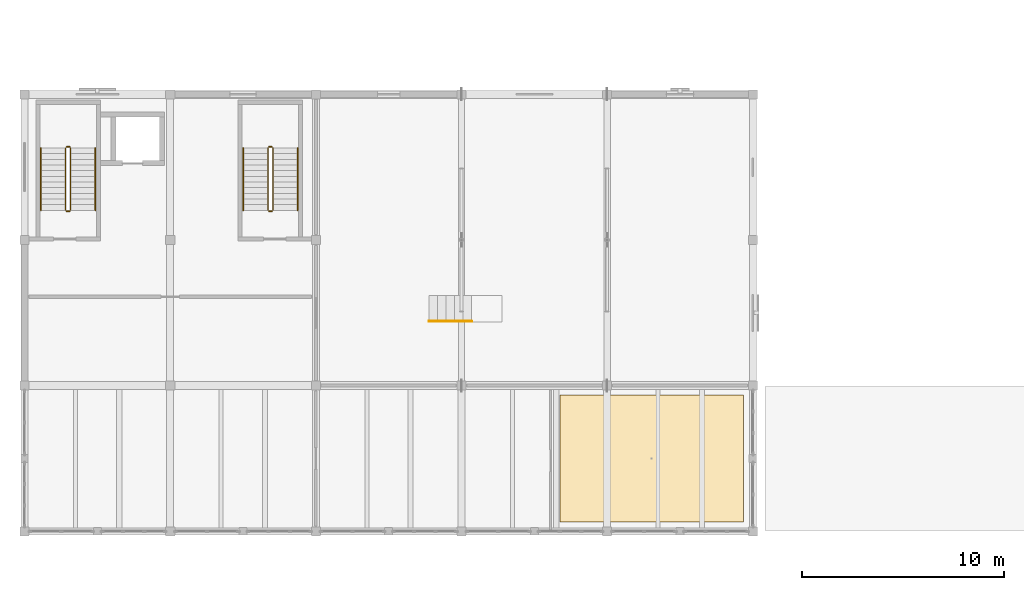
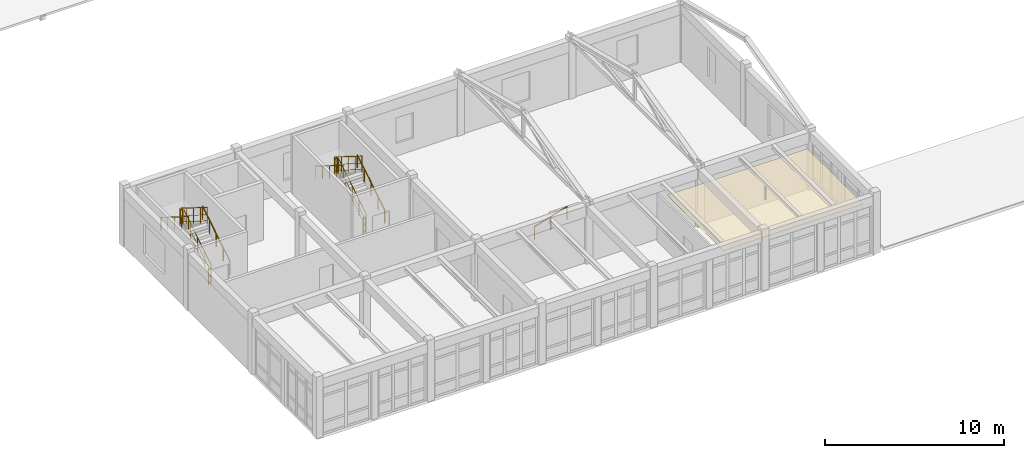
# One storey, part 129 of 136: 13 railings, 1 covering.
"""IFC4 building model written with IfcOpenShell, lengths in metres."""

from ifc_helpers import new_model, si_unit, direction, frame, origin, origin_2d, place, context, subcontext, project, spatial, polyline, circle, outline, extrude, material, layer, layer_set, type_object, element, save


model = new_model("IFC4")

# Units and contexts
model_context = context("Model", 3, precision=1e-05, world=origin(), true_north=direction((0.0, 1.0)))
body_context = subcontext(model_context, "Body", "Model", "MODEL_VIEW")
ifc_project = project(units=[si_unit("LENGTHUNIT", "METRE"), si_unit("AREAUNIT", "SQUARE_METRE"), si_unit("VOLUMEUNIT", "CUBIC_METRE"), si_unit("PLANEANGLEUNIT", "RADIAN"), si_unit("MASSUNIT", "GRAM", prefix="KILO")], contexts=[model_context])

# Site, building, storey
site_placement = place(None, origin())
site = spatial("IfcSite", under=ifc_project, at=site_placement, CompositionType="ELEMENT")
building_placement = place(site_placement, origin())
building = spatial("IfcBuilding", under=site, at=building_placement, Name="Koriwan Promenade Central Fire Station", CompositionType="ELEMENT")
storey_placement = place(building_placement, frame((0.0, 0.0, 5.39990234375)))
storey = spatial("IfcBuildingStorey", under=building, at=storey_placement, Name="L01", CompositionType="ELEMENT", Elevation=5.39990234375)

# Covering
ifc_material_1 = material(Name="Mineral-fibre acoustic ceiling tile on suspended grid", Category="ceiling")
ifc_layer_1 = layer(ifc_material_1, 0.02490234375, Name="Mineral-fibre acoustic ceiling tile on suspended grid")
ifc_layer_set_1 = layer_set([ifc_layer_1], Name="Mineral-fibre acoustic ceiling tile on suspended grid")
covering_type = type_object("IfcCoveringType", Name="AcousticCeiling_Tile", PredefinedType="CEILING", material=ifc_layer_set_1)
covering_placement = place(storey_placement, frame((0.0, 0.0, 3.080078125)))
element("IfcCovering", 1, at=covering_placement, inside=storey, type_object=covering_type, Name="Speaker Briefing and Seminar Room suspended acoustic ceiling", PredefinedType="CEILING", context=body_context, shape_type="SweptSolid", body=[
    extrude(outline(polyline([(26.469970703125, 6.72998046875), (35.530029296875, 6.72998046875), (35.530029296875, 0.469970703125), (26.469970703125, 0.469970703125), (26.469970703125, 6.72998046875)])), origin(), (0.0, 0.0, 1.0), 0.02490234375),
])

# Railings
ifc_material_2 = material(Name="Steel ASTM A500 Grade C", Category="steel")
ifc_layer_2 = layer(ifc_material_2, 0.050048828125, Name="Steel ASTM A500 Grade C")
ifc_layer_set_2 = layer_set([ifc_layer_2], Name="Steel ASTM A500 Grade C")
railing_type_1 = type_object("IfcRailingType", Name="StairGuard_1100", PredefinedType="BALUSTRADE", material=ifc_layer_set_2)
railing_1_placement = place(storey_placement, frame((2.280029296875, 15.8701171875, 0.175048828125)))
element("IfcRailing", 2, at=railing_1_placement, inside=storey, type_object=railing_type_1, Name="L01 ST14 stair guard 1", PredefinedType="BALUSTRADE", context=body_context, shape_type="SweptSolid", body=[
    extrude(circle(Radius=0.02392578125, at=origin_2d()), frame((0.0, 0.0, 1.076171875), z_axis=(0.0, 0.847979421464, 0.530029150871), x_axis=(-1.0, 0.0, 0.0)), (0.0, 0.0, 1.0), 3.632080078125),
    extrude(circle(Radius=0.012939453125, at=origin_2d()), frame((0.0, 0.0, 0.572021484375), z_axis=(0.0, 0.847979421464, 0.530029150871), x_axis=(-1.0, 0.0, 0.0)), (0.0, 0.0, 1.0), 3.632080078125),
    extrude(circle(Radius=0.012939453125, at=origin_2d()), frame((0.0, 0.0, 0.154052734375), z_axis=(0.0, 0.847979421464, 0.530029150871), x_axis=(-1.0, 0.0, 0.0)), (0.0, 0.0, 1.0), 3.632080078125),
    extrude(circle(Radius=0.02099609375, at=origin_2d()), origin(), (0.0, 0.0, 1.0), 1.052001953125),
    extrude(circle(Radius=0.02099609375, at=origin_2d()), frame((0.0, 0.77001953125, 0.481201171875)), (0.0, 0.0, 1.0), 1.052001953125),
    extrude(circle(Radius=0.02099609375, at=origin_2d()), frame((0.0, 1.5400390625, 0.96240234375)), (0.0, 0.0, 1.0), 1.052001953125),
    extrude(circle(Radius=0.02099609375, at=origin_2d()), frame((0.0, 2.309814453125, 1.44384765625)), (0.0, 0.0, 1.0), 1.052001953125),
    extrude(circle(Radius=0.02099609375, at=origin_2d()), frame((0.0, 3.079833984375, 1.925048828125)), (0.0, 0.0, 1.0), 1.052001953125),
])
railing_2_placement = place(storey_placement, frame((2.22998046875, 19.0, 2.10009765625)))
element("IfcRailing", 3, at=railing_2_placement, inside=storey, type_object=railing_type_1, Name="L01 ST14 stair guard 2", PredefinedType="BALUSTRADE", context=body_context, shape_type="SweptSolid", body=[
    extrude(circle(Radius=0.02392578125, at=origin_2d()), frame((0.0, 0.0, 1.076171875), z_axis=(-1.0, 0.0, 0.0), x_axis=(0.0, -1.0, 0.0)), (0.0, 0.0, 1.0), 0.14990234375),
    extrude(circle(Radius=0.012939453125, at=origin_2d()), frame((0.0, 0.0, 0.572021484375), z_axis=(-1.0, 0.0, 0.0), x_axis=(0.0, -1.0, 0.0)), (0.0, 0.0, 1.0), 0.14990234375),
    extrude(circle(Radius=0.012939453125, at=origin_2d()), frame((0.0, 0.0, 0.154052734375), z_axis=(-1.0, 0.0, 0.0), x_axis=(0.0, -1.0, 0.0)), (0.0, 0.0, 1.0), 0.14990234375),
    extrude(circle(Radius=0.02099609375, at=origin_2d()), origin(), (0.0, 0.0, 1.0), 1.052001953125),
    extrude(circle(Radius=0.02099609375, at=origin_2d()), frame((-0.14990234375, 0.0, 0.0)), (0.0, 0.0, 1.0), 1.052001953125),
])
railing_3_placement = place(storey_placement, frame((2.030029296875, 18.949951171875, 2.275146484375)))
element("IfcRailing", 4, at=railing_3_placement, inside=storey, type_object=railing_type_1, Name="L01 ST14 stair guard 3", PredefinedType="BALUSTRADE", context=body_context, shape_type="SweptSolid", body=[
    extrude(circle(Radius=0.02392578125, at=origin_2d()), frame((0.0, 0.0, 1.076171875), z_axis=(0.0, -0.847979421464, 0.530029150871), x_axis=(1.0, 0.0, 0.0)), (0.0, 0.0, 1.0), 3.632080078125),
    extrude(circle(Radius=0.012939453125, at=origin_2d()), frame((0.0, 0.0, 0.572021484375), z_axis=(0.0, -0.847979421464, 0.530029150871), x_axis=(1.0, 0.0, 0.0)), (0.0, 0.0, 1.0), 3.632080078125),
    extrude(circle(Radius=0.012939453125, at=origin_2d()), frame((0.0, 0.0, 0.154052734375), z_axis=(0.0, -0.847979421464, 0.530029150871), x_axis=(1.0, 0.0, 0.0)), (0.0, 0.0, 1.0), 3.632080078125),
    extrude(circle(Radius=0.02099609375, at=origin_2d()), origin(), (0.0, 0.0, 1.0), 1.052001953125),
    extrude(circle(Radius=0.02099609375, at=origin_2d()), frame((0.0, -0.77001953125, 0.481201171875)), (0.0, 0.0, 1.0), 1.052001953125),
    extrude(circle(Radius=0.02099609375, at=origin_2d()), frame((0.0, -1.5400390625, 0.96240234375)), (0.0, 0.0, 1.0), 1.052001953125),
    extrude(circle(Radius=0.02099609375, at=origin_2d()), frame((0.0, -2.309814453125, 1.44384765625)), (0.0, 0.0, 1.0), 1.052001953125),
    extrude(circle(Radius=0.02099609375, at=origin_2d()), frame((0.0, -3.079833984375, 1.925048828125)), (0.0, 0.0, 1.0), 1.052001953125),
])
railing_4_placement = place(storey_placement, frame((2.22998046875, 15.820068359375, 0.0)))
element("IfcRailing", 5, at=railing_4_placement, inside=storey, type_object=railing_type_1, Name="L01 ST14 stair guard 4", PredefinedType="BALUSTRADE", context=body_context, shape_type="SweptSolid", body=[
    extrude(circle(Radius=0.02392578125, at=origin_2d()), frame((0.0, 0.0, 1.076171875), z_axis=(-1.0, 0.0, 0.0), x_axis=(0.0, -1.0, 0.0)), (0.0, 0.0, 1.0), 0.14990234375),
    extrude(circle(Radius=0.012939453125, at=origin_2d()), frame((0.0, 0.0, 0.572021484375), z_axis=(-1.0, 0.0, 0.0), x_axis=(0.0, -1.0, 0.0)), (0.0, 0.0, 1.0), 0.14990234375),
    extrude(circle(Radius=0.012939453125, at=origin_2d()), frame((0.0, 0.0, 0.154052734375), z_axis=(-1.0, 0.0, 0.0), x_axis=(0.0, -1.0, 0.0)), (0.0, 0.0, 1.0), 0.14990234375),
    extrude(circle(Radius=0.02099609375, at=origin_2d()), origin(), (0.0, 0.0, 1.0), 1.052001953125),
    extrude(circle(Radius=0.02099609375, at=origin_2d()), frame((-0.14990234375, 0.0, 0.0)), (0.0, 0.0, 1.0), 1.052001953125),
])
railing_5_placement = place(storey_placement, frame((12.280029296875, 15.8701171875, 0.175048828125)))
element("IfcRailing", 6, at=railing_5_placement, inside=storey, type_object=railing_type_1, Name="L01 ST16 stair guard 1", PredefinedType="BALUSTRADE", context=body_context, shape_type="SweptSolid", body=[
    extrude(circle(Radius=0.02392578125, at=origin_2d()), frame((0.0, 0.0, 1.076171875), z_axis=(0.0, 0.847979421464, 0.530029150871), x_axis=(-1.0, 0.0, 0.0)), (0.0, 0.0, 1.0), 3.632080078125),
    extrude(circle(Radius=0.012939453125, at=origin_2d()), frame((0.0, 0.0, 0.572021484375), z_axis=(0.0, 0.847979421464, 0.530029150871), x_axis=(-1.0, 0.0, 0.0)), (0.0, 0.0, 1.0), 3.632080078125),
    extrude(circle(Radius=0.012939453125, at=origin_2d()), frame((0.0, 0.0, 0.154052734375), z_axis=(0.0, 0.847979421464, 0.530029150871), x_axis=(-1.0, 0.0, 0.0)), (0.0, 0.0, 1.0), 3.632080078125),
    extrude(circle(Radius=0.02099609375, at=origin_2d()), origin(), (0.0, 0.0, 1.0), 1.052001953125),
    extrude(circle(Radius=0.02099609375, at=origin_2d()), frame((0.0, 0.77001953125, 0.481201171875)), (0.0, 0.0, 1.0), 1.052001953125),
    extrude(circle(Radius=0.02099609375, at=origin_2d()), frame((0.0, 1.5400390625, 0.96240234375)), (0.0, 0.0, 1.0), 1.052001953125),
    extrude(circle(Radius=0.02099609375, at=origin_2d()), frame((0.0, 2.309814453125, 1.44384765625)), (0.0, 0.0, 1.0), 1.052001953125),
    extrude(circle(Radius=0.02099609375, at=origin_2d()), frame((0.0, 3.079833984375, 1.925048828125)), (0.0, 0.0, 1.0), 1.052001953125),
])
railing_6_placement = place(storey_placement, frame((12.22998046875, 19.0, 2.10009765625)))
element("IfcRailing", 7, at=railing_6_placement, inside=storey, type_object=railing_type_1, Name="L01 ST16 stair guard 2", PredefinedType="BALUSTRADE", context=body_context, shape_type="SweptSolid", body=[
    extrude(circle(Radius=0.02392578125, at=origin_2d()), frame((0.0, 0.0, 1.076171875), z_axis=(-1.0, 0.0, 0.0), x_axis=(0.0, -1.0, 0.0)), (0.0, 0.0, 1.0), 0.14990234375),
    extrude(circle(Radius=0.012939453125, at=origin_2d()), frame((0.0, 0.0, 0.572021484375), z_axis=(-1.0, 0.0, 0.0), x_axis=(0.0, -1.0, 0.0)), (0.0, 0.0, 1.0), 0.14990234375),
    extrude(circle(Radius=0.012939453125, at=origin_2d()), frame((0.0, 0.0, 0.154052734375), z_axis=(-1.0, 0.0, 0.0), x_axis=(0.0, -1.0, 0.0)), (0.0, 0.0, 1.0), 0.14990234375),
    extrude(circle(Radius=0.02099609375, at=origin_2d()), origin(), (0.0, 0.0, 1.0), 1.052001953125),
    extrude(circle(Radius=0.02099609375, at=origin_2d()), frame((-0.14990234375, 0.0, 0.0)), (0.0, 0.0, 1.0), 1.052001953125),
])
railing_7_placement = place(storey_placement, frame((12.030029296875, 18.949951171875, 2.275146484375)))
element("IfcRailing", 8, at=railing_7_placement, inside=storey, type_object=railing_type_1, Name="L01 ST16 stair guard 3", PredefinedType="BALUSTRADE", context=body_context, shape_type="SweptSolid", body=[
    extrude(circle(Radius=0.02392578125, at=origin_2d()), frame((0.0, 0.0, 1.076171875), z_axis=(0.0, -0.847979421464, 0.530029150871), x_axis=(1.0, 0.0, 0.0)), (0.0, 0.0, 1.0), 3.632080078125),
    extrude(circle(Radius=0.012939453125, at=origin_2d()), frame((0.0, 0.0, 0.572021484375), z_axis=(0.0, -0.847979421464, 0.530029150871), x_axis=(1.0, 0.0, 0.0)), (0.0, 0.0, 1.0), 3.632080078125),
    extrude(circle(Radius=0.012939453125, at=origin_2d()), frame((0.0, 0.0, 0.154052734375), z_axis=(0.0, -0.847979421464, 0.530029150871), x_axis=(1.0, 0.0, 0.0)), (0.0, 0.0, 1.0), 3.632080078125),
    extrude(circle(Radius=0.02099609375, at=origin_2d()), origin(), (0.0, 0.0, 1.0), 1.052001953125),
    extrude(circle(Radius=0.02099609375, at=origin_2d()), frame((0.0, -0.77001953125, 0.481201171875)), (0.0, 0.0, 1.0), 1.052001953125),
    extrude(circle(Radius=0.02099609375, at=origin_2d()), frame((0.0, -1.5400390625, 0.96240234375)), (0.0, 0.0, 1.0), 1.052001953125),
    extrude(circle(Radius=0.02099609375, at=origin_2d()), frame((0.0, -2.309814453125, 1.44384765625)), (0.0, 0.0, 1.0), 1.052001953125),
    extrude(circle(Radius=0.02099609375, at=origin_2d()), frame((0.0, -3.079833984375, 1.925048828125)), (0.0, 0.0, 1.0), 1.052001953125),
])
railing_8_placement = place(storey_placement, frame((12.22998046875, 15.820068359375, 0.0)))
element("IfcRailing", 9, at=railing_8_placement, inside=storey, type_object=railing_type_1, Name="L01 ST16 stair guard 4", PredefinedType="BALUSTRADE", context=body_context, shape_type="SweptSolid", body=[
    extrude(circle(Radius=0.02392578125, at=origin_2d()), frame((0.0, 0.0, 1.076171875), z_axis=(-1.0, 0.0, 0.0), x_axis=(0.0, -1.0, 0.0)), (0.0, 0.0, 1.0), 0.14990234375),
    extrude(circle(Radius=0.012939453125, at=origin_2d()), frame((0.0, 0.0, 0.572021484375), z_axis=(-1.0, 0.0, 0.0), x_axis=(0.0, -1.0, 0.0)), (0.0, 0.0, 1.0), 0.14990234375),
    extrude(circle(Radius=0.012939453125, at=origin_2d()), frame((0.0, 0.0, 0.154052734375), z_axis=(-1.0, 0.0, 0.0), x_axis=(0.0, -1.0, 0.0)), (0.0, 0.0, 1.0), 0.14990234375),
    extrude(circle(Radius=0.02099609375, at=origin_2d()), origin(), (0.0, 0.0, 1.0), 1.052001953125),
    extrude(circle(Radius=0.02099609375, at=origin_2d()), frame((-0.14990234375, 0.0, 0.0)), (0.0, 0.0, 1.0), 1.052001953125),
])
ifc_material_3 = material(Name="Stainless steel 316 tubular handrail", Category="steel")
ifc_layer_3 = layer(ifc_material_3, 0.048095703125, Name="Stainless steel 316 tubular handrail")
ifc_layer_set_3 = layer_set([ifc_layer_3], Name="Stainless steel 316 tubular handrail")
railing_type_2 = type_object("IfcRailingType", Name="StairHandrail_900", PredefinedType="HANDRAIL", material=ifc_layer_set_3)
railing_9_placement = place(storey_placement, frame((3.5, 15.8701171875, 0.175048828125)))
element("IfcRailing", 10, at=railing_9_placement, inside=storey, type_object=railing_type_2, Name="L01 ST14 stair handrail 1", PredefinedType="HANDRAIL", context=body_context, shape_type="SweptSolid", body=[
    extrude(circle(Radius=0.02392578125, at=origin_2d()), frame((0.0, 0.0, 0.8759765625), z_axis=(0.0, 0.847979421464, 0.530029150871), x_axis=(-1.0, 0.0, 0.0)), (0.0, 0.0, 1.0), 3.632080078125),
    extrude(circle(Radius=0.02099609375, at=origin_2d()), origin(), (0.0, 0.0, 1.0), 0.851806640625),
    extrude(circle(Radius=0.02099609375, at=origin_2d()), frame((0.0, 0.77001953125, 0.481201171875)), (0.0, 0.0, 1.0), 0.851806640625),
    extrude(circle(Radius=0.02099609375, at=origin_2d()), frame((0.0, 1.5400390625, 0.96240234375)), (0.0, 0.0, 1.0), 0.851806640625),
    extrude(circle(Radius=0.02099609375, at=origin_2d()), frame((0.0, 2.309814453125, 1.44384765625)), (0.0, 0.0, 1.0), 0.851806640625),
    extrude(circle(Radius=0.02099609375, at=origin_2d()), frame((0.0, 3.079833984375, 1.925048828125)), (0.0, 0.0, 1.0), 0.851806640625),
])
railing_10_placement = place(storey_placement, frame((0.81005859375, 18.949951171875, 2.275146484375)))
element("IfcRailing", 11, at=railing_10_placement, inside=storey, type_object=railing_type_2, Name="L01 ST14 stair handrail 2", PredefinedType="HANDRAIL", context=body_context, shape_type="SweptSolid", body=[
    extrude(circle(Radius=0.02392578125, at=origin_2d()), frame((0.0, 0.0, 0.8759765625), z_axis=(0.0, -0.847979421464, 0.530029150871), x_axis=(1.0, 0.0, 0.0)), (0.0, 0.0, 1.0), 3.632080078125),
    extrude(circle(Radius=0.02099609375, at=origin_2d()), origin(), (0.0, 0.0, 1.0), 0.851806640625),
    extrude(circle(Radius=0.02099609375, at=origin_2d()), frame((0.0, -0.77001953125, 0.481201171875)), (0.0, 0.0, 1.0), 0.851806640625),
    extrude(circle(Radius=0.02099609375, at=origin_2d()), frame((0.0, -1.5400390625, 0.96240234375)), (0.0, 0.0, 1.0), 0.851806640625),
    extrude(circle(Radius=0.02099609375, at=origin_2d()), frame((0.0, -2.309814453125, 1.44384765625)), (0.0, 0.0, 1.0), 0.851806640625),
    extrude(circle(Radius=0.02099609375, at=origin_2d()), frame((0.0, -3.079833984375, 1.925048828125)), (0.0, 0.0, 1.0), 0.851806640625),
])
railing_11_placement = place(storey_placement, frame((13.5, 15.8701171875, 0.175048828125)))
element("IfcRailing", 12, at=railing_11_placement, inside=storey, type_object=railing_type_2, Name="L01 ST16 stair handrail 1", PredefinedType="HANDRAIL", context=body_context, shape_type="SweptSolid", body=[
    extrude(circle(Radius=0.02392578125, at=origin_2d()), frame((0.0, 0.0, 0.8759765625), z_axis=(0.0, 0.847979421464, 0.530029150871), x_axis=(-1.0, 0.0, 0.0)), (0.0, 0.0, 1.0), 3.632080078125),
    extrude(circle(Radius=0.02099609375, at=origin_2d()), origin(), (0.0, 0.0, 1.0), 0.851806640625),
    extrude(circle(Radius=0.02099609375, at=origin_2d()), frame((0.0, 0.77001953125, 0.481201171875)), (0.0, 0.0, 1.0), 0.851806640625),
    extrude(circle(Radius=0.02099609375, at=origin_2d()), frame((0.0, 1.5400390625, 0.96240234375)), (0.0, 0.0, 1.0), 0.851806640625),
    extrude(circle(Radius=0.02099609375, at=origin_2d()), frame((0.0, 2.309814453125, 1.44384765625)), (0.0, 0.0, 1.0), 0.851806640625),
    extrude(circle(Radius=0.02099609375, at=origin_2d()), frame((0.0, 3.079833984375, 1.925048828125)), (0.0, 0.0, 1.0), 0.851806640625),
])
railing_12_placement = place(storey_placement, frame((10.81005859375, 18.949951171875, 2.275146484375)))
element("IfcRailing", 13, at=railing_12_placement, inside=storey, type_object=railing_type_2, Name="L01 ST16 stair handrail 2", PredefinedType="HANDRAIL", context=body_context, shape_type="SweptSolid", body=[
    extrude(circle(Radius=0.02392578125, at=origin_2d()), frame((0.0, 0.0, 0.8759765625), z_axis=(0.0, -0.847979421464, 0.530029150871), x_axis=(1.0, 0.0, 0.0)), (0.0, 0.0, 1.0), 3.632080078125),
    extrude(circle(Radius=0.02099609375, at=origin_2d()), origin(), (0.0, 0.0, 1.0), 0.851806640625),
    extrude(circle(Radius=0.02099609375, at=origin_2d()), frame((0.0, -0.77001953125, 0.481201171875)), (0.0, 0.0, 1.0), 0.851806640625),
    extrude(circle(Radius=0.02099609375, at=origin_2d()), frame((0.0, -1.5400390625, 0.96240234375)), (0.0, 0.0, 1.0), 0.851806640625),
    extrude(circle(Radius=0.02099609375, at=origin_2d()), frame((0.0, -2.309814453125, 1.44384765625)), (0.0, 0.0, 1.0), 0.851806640625),
    extrude(circle(Radius=0.02099609375, at=origin_2d()), frame((0.0, -3.079833984375, 1.925048828125)), (0.0, 0.0, 1.0), 0.851806640625),
])
railing_13_placement = place(storey_placement, frame((20.0, 10.3798828125, 0.125)))
element("IfcRailing", 14, at=railing_13_placement, inside=storey, type_object=railing_type_2, Name="DAIS_V3_LTH dais handrail", PredefinedType="HANDRAIL", context=body_context, shape_type="SweptSolid", body=[
    extrude(circle(Radius=0.02392578125, at=origin_2d()), frame((0.0, 0.0, 0.8759765625), z_axis=(0.958455704924, 0.0, 0.28524140951), x_axis=(0.0, 1.0, 0.0)), (0.0, 0.0, 1.0), 2.191162109375),
    extrude(circle(Radius=0.02099609375, at=origin_2d()), origin(), (0.0, 0.0, 1.0), 0.851806640625),
    extrude(circle(Radius=0.02099609375, at=origin_2d()), frame((1.050048828125, 0.0, 0.3125)), (0.0, 0.0, 1.0), 0.851806640625),
    extrude(circle(Radius=0.02099609375, at=origin_2d()), frame((2.10009765625, 0.0, 0.625)), (0.0, 0.0, 1.0), 0.851806640625),
])

save(model, "model.ifc")
